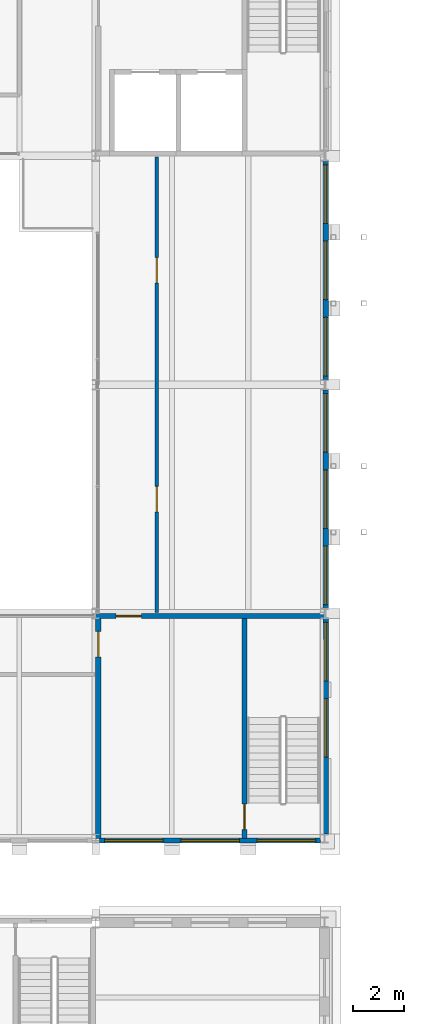
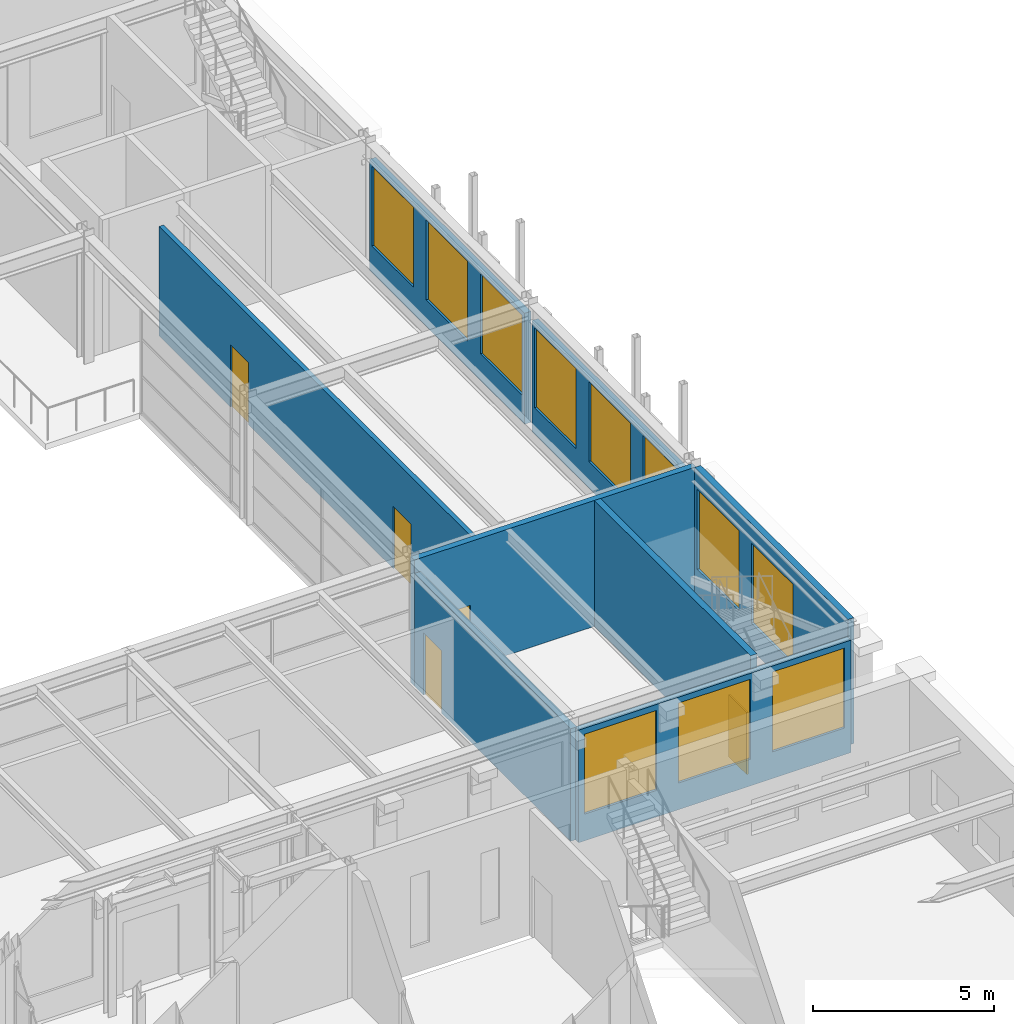
# One storey, part 98 of 153: 11 windows, 8 walls, 5 doors, 16 openings.
"""IFC4 building model written with IfcOpenShell, lengths in metres."""

from ifc_helpers import new_model, si_unit, direction, frame, frame_2d, origin, place, context, subcontext, project, spatial, rectangle, extrude, material, layer, layer_set, type_object, element, fill, save


model = new_model("IFC4")

# Units and contexts
model_context = context("Model", 3, precision=1e-05, world=origin(), true_north=direction((0.0, 1.0)))
body_context = subcontext(model_context, "Body", "Model", "MODEL_VIEW")
ifc_project = project(units=[si_unit("LENGTHUNIT", "METRE"), si_unit("AREAUNIT", "SQUARE_METRE"), si_unit("VOLUMEUNIT", "CUBIC_METRE"), si_unit("PLANEANGLEUNIT", "RADIAN"), si_unit("MASSUNIT", "GRAM", prefix="KILO")], contexts=[model_context])

# Site, building, storey
site_placement = place(None, origin())
site = spatial("IfcSite", under=ifc_project, at=site_placement, CompositionType="ELEMENT")
building_placement = place(site_placement, origin())
building = spatial("IfcBuilding", under=site, at=building_placement, Name="Kallimachos Central Library", CompositionType="ELEMENT")
storey_placement = place(building_placement, frame((0.0, 0.0, 5.39990234375)))
storey = spatial("IfcBuildingStorey", under=building, at=storey_placement, Name="L01", CompositionType="ELEMENT", Elevation=5.39990234375)

# Wall, openings, doors
ifc_material_1 = material(Name="Gypsum board on steel studs", Category="steel")
ifc_layer_1 = layer(ifc_material_1, 0.14990234375)
ifc_layer_set_1 = layer_set([ifc_layer_1], Name="Partition wall 150")
wall_type_1 = type_object("IfcWallType", Name="Partition wall 150", PredefinedType="PARTITIONING", material=ifc_layer_set_1)
wall_1_placement = place(storey_placement, frame((103.89990234375, 57.050048828125, 0.0), z_axis=(0.0, 0.0, 1.0), x_axis=(0.0, 1.0, 0.0)))
wall_1 = element("IfcWall", 1, at=wall_1_placement, inside=storey, type_object=wall_type_1, Name="L01 partition", PredefinedType="PARTITIONING", context=body_context, shape_type="SweptSolid", body=[
    extrude(rectangle(XDim=17.89990234375, YDim=0.14990234375, at=frame_2d((8.949951171875, 0.0))), origin(), (0.0, 0.0, 1.0), 3.7001953125),
])
opening_1_placement = place(wall_1_placement, frame((3.949951171875, 0.0, 0.0)))
opening_1 = element("IfcOpeningElement", 2, at=opening_1_placement, cuts=wall_1, Name="Opening D197", PredefinedType="OPENING", context=body_context, shape_type="SweptSolid", body=[
    extrude(rectangle(XDim=1.0, YDim=2.10009765625, at=frame_2d((0.5, 1.050048828125))), frame((0.0, 0.0849609375, 0.0), z_axis=(0.0, -1.0, 0.0), x_axis=(1.0, 0.0, 0.0)), (0.0, 0.0, 1.0), 0.169921875),
])
opening_2_placement = place(wall_1_placement, frame((12.949951171875, 0.0, 0.0)))
opening_2 = element("IfcOpeningElement", 3, at=opening_2_placement, cuts=wall_1, Name="Opening D198", PredefinedType="OPENING", context=body_context, shape_type="SweptSolid", body=[
    extrude(rectangle(XDim=1.0, YDim=2.10009765625, at=frame_2d((0.5, 1.050048828125))), frame((0.0, 0.0849609375, 0.0), z_axis=(0.0, -1.0, 0.0), x_axis=(1.0, 0.0, 0.0)), (0.0, 0.0, 1.0), 0.169921875),
])
ifc_material_2 = material(Name="Timber", Category="wood")
door_type_1 = type_object("IfcDoorType", Name="Single leaf door 1000 x 2100, EI2 30", OperationType="NOTDEFINED", PredefinedType="DOOR", material=ifc_material_2)
door_1_placement = place(opening_1_placement, origin())
door_1 = element("IfcDoor", 4, at=door_1_placement, inside=storey, type_object=door_type_1, Name="L01 door Study Carrels 1", OperationType="SINGLE_SWING_RIGHT", OverallHeight=2.10009765625, OverallWidth=1.0, PredefinedType="DOOR", context=body_context, shape_type="SweptSolid", body=[
    extrude(rectangle(XDim=1.0, YDim=2.10009765625, at=frame_2d((0.5, 1.050048828125))), frame((0.0, 0.02490234375, 0.0), z_axis=(0.0, -1.0, 0.0), x_axis=(1.0, 0.0, 0.0)), (0.0, 0.0, 1.0), 0.050048828125),
])
fill(opening_1, door_1)
door_2_placement = place(opening_2_placement, origin())
door_2 = element("IfcDoor", 5, at=door_2_placement, inside=storey, type_object=door_type_1, Name="L01 door Study Carrels 1", OperationType="SINGLE_SWING_RIGHT", OverallHeight=2.10009765625, OverallWidth=1.0, PredefinedType="DOOR", context=body_context, shape_type="SweptSolid", body=[
    extrude(rectangle(XDim=1.0, YDim=2.10009765625, at=frame_2d((0.5, 1.050048828125))), frame((0.0, 0.02490234375, 0.0), z_axis=(0.0, -1.0, 0.0), x_axis=(1.0, 0.0, 0.0)), (0.0, 0.0, 1.0), 0.050048828125),
])
fill(opening_2, door_2)

# Wall, opening, door
ifc_material_3 = material(Name="Concrete C35/45", Category="concrete")
ifc_layer_2 = layer(ifc_material_3, 0.199951171875)
ifc_layer_set_2 = layer_set([ifc_layer_2], Name="Shear core wall 200, internal")
wall_type_2 = type_object("IfcWallType", Name="Shear core wall 200, internal", PredefinedType="SHEAR", material=ifc_layer_set_2)
wall_2_placement = place(storey_placement, frame((101.5, 56.89990234375, 0.0), z_axis=(0.0, 0.0, 1.0), x_axis=(1.0, 0.0, 0.0)))
wall_2 = element("IfcWall", 6, at=wall_2_placement, inside=storey, type_object=wall_type_2, Name="L01 core wall V4-SE N", PredefinedType="SHEAR", context=body_context, shape_type="SweptSolid", body=[
    extrude(rectangle(XDim=9.0, YDim=0.199951171875, at=frame_2d((4.5, 0.0))), origin(), (0.0, 0.0, 1.0), 4.25),
])
opening_3_placement = place(wall_2_placement, frame((0.800048828125, 0.0, 0.0)))
opening_3 = element("IfcOpeningElement", 7, at=opening_3_placement, cuts=wall_2, Name="Opening D177", PredefinedType="OPENING", context=body_context, shape_type="SweptSolid", body=[
    extrude(rectangle(XDim=1.0, YDim=2.10009765625, at=frame_2d((0.5, 1.050048828125))), frame((0.0, 0.10986328125, 0.0), z_axis=(0.0, -1.0, 0.0), x_axis=(1.0, 0.0, 0.0)), (0.0, 0.0, 1.0), 0.219970703125),
])
ifc_material_4 = material(Name="Timber", Category="wood")
door_type_2 = type_object("IfcDoorType", Name="Single leaf door 1000 x 2100, EI2 90", OperationType="NOTDEFINED", PredefinedType="DOOR", material=ifc_material_4)
door_3_placement = place(opening_3_placement, origin())
door_3 = element("IfcDoor", 8, at=door_3_placement, inside=storey, type_object=door_type_2, Name="L01 core door V4-SE", OperationType="SINGLE_SWING_RIGHT", OverallHeight=2.10009765625, OverallWidth=1.0, PredefinedType="DOOR", context=body_context, shape_type="SweptSolid", body=[
    extrude(rectangle(XDim=1.0, YDim=2.10009765625, at=frame_2d((0.5, 1.050048828125))), frame((0.0, 0.02490234375, 0.0), z_axis=(0.0, -1.0, 0.0), x_axis=(1.0, 0.0, 0.0)), (0.0, 0.0, 1.0), 0.050048828125),
])
fill(opening_3, door_3)

wall_3_placement = place(storey_placement, frame((101.60009765625, 48.14990234375, 0.0), z_axis=(0.0, 0.0, 1.0), x_axis=(0.0, 1.0, 0.0)))
wall_3 = element("IfcWall", 9, at=wall_3_placement, inside=storey, type_object=wall_type_2, Name="L01 core wall V4-SE E", PredefinedType="SHEAR", context=body_context, shape_type="SweptSolid", body=[
    extrude(rectangle(XDim=8.650146484375, YDim=0.199951171875, at=frame_2d((4.3251953125, 0.0))), origin(), (0.0, 0.0, 1.0), 3.800048828125),
])
opening_4_placement = place(wall_3_placement, frame((7.14990234375, 0.0, 0.0)))
opening_4 = element("IfcOpeningElement", 10, at=opening_4_placement, cuts=wall_3, Name="Opening D180", PredefinedType="OPENING", context=body_context, shape_type="SweptSolid", body=[
    extrude(rectangle(XDim=1.0, YDim=2.10009765625, at=frame_2d((0.5, 1.050048828125))), frame((0.0, 0.10986328125, 0.0), z_axis=(0.0, -1.0, 0.0), x_axis=(1.0, 0.0, 0.0)), (0.0, 0.0, 1.0), 0.219970703125),
])
door_4_placement = place(opening_4_placement, frame((1.0, 0.0, 0.0), z_axis=(0.0, 0.0, 1.0), x_axis=(-1.0, 0.0, 0.0)))
door_4 = element("IfcDoor", 11, at=door_4_placement, inside=storey, type_object=door_type_2, Name="L01 core door V4-SE", OperationType="SINGLE_SWING_LEFT", OverallHeight=2.10009765625, OverallWidth=1.0, PredefinedType="DOOR", context=body_context, shape_type="SweptSolid", body=[
    extrude(rectangle(XDim=1.0, YDim=2.10009765625, at=frame_2d((0.5, 1.050048828125))), frame((0.0, 0.02490234375, 0.0), z_axis=(0.0, -1.0, 0.0), x_axis=(1.0, 0.0, 0.0)), (0.0, 0.0, 1.0), 0.050048828125),
])
fill(opening_4, door_4)

wall_4_placement = place(storey_placement, frame((107.35009765625, 48.14990234375, 0.0), z_axis=(0.0, 0.0, 1.0), x_axis=(0.0, 1.0, 0.0)))
wall_4 = element("IfcWall", 12, at=wall_4_placement, inside=storey, type_object=wall_type_2, Name="L01 core wall V4-SE M", PredefinedType="SHEAR", context=body_context, shape_type="SweptSolid", body=[
    extrude(rectangle(XDim=8.650146484375, YDim=0.199951171875, at=frame_2d((4.3251953125, 0.0))), origin(), (0.0, 0.0, 1.0), 4.25),
])
opening_5_placement = place(wall_4_placement, frame((0.35009765625, 0.0, 0.0)))
opening_5 = element("IfcOpeningElement", 13, at=opening_5_placement, cuts=wall_4, Name="Opening D182", PredefinedType="OPENING", context=body_context, shape_type="SweptSolid", body=[
    extrude(rectangle(XDim=1.0, YDim=2.10009765625, at=frame_2d((0.5, 1.050048828125))), frame((0.0, 0.10986328125, 0.0), z_axis=(0.0, -1.0, 0.0), x_axis=(1.0, 0.0, 0.0)), (0.0, 0.0, 1.0), 0.219970703125),
])
door_5_placement = place(opening_5_placement, frame((1.0, 0.0, 0.0), z_axis=(0.0, 0.0, 1.0), x_axis=(-1.0, 0.0, 0.0)))
door_5 = element("IfcDoor", 14, at=door_5_placement, inside=storey, type_object=door_type_2, Name="L01 core door V4-SE", OperationType="SINGLE_SWING_LEFT", OverallHeight=2.10009765625, OverallWidth=1.0, PredefinedType="DOOR", context=body_context, shape_type="SweptSolid", body=[
    extrude(rectangle(XDim=1.0, YDim=2.10009765625, at=frame_2d((0.5, 1.050048828125))), frame((0.0, 0.02490234375, 0.0), z_axis=(0.0, -1.0, 0.0), x_axis=(1.0, 0.0, 0.0)), (0.0, 0.0, 1.0), 0.050048828125),
])
fill(opening_5, door_5)

# Wall, openings, windows
ifc_material_5 = material(Name="Brick masonry with Pentelic marble cladding", Category="masonry")
ifc_layer_3 = layer(ifc_material_5, 0.199951171875)
ifc_layer_set_3 = layer_set([ifc_layer_3], Name="Stone-clad masonry wall 200")
wall_type_3 = type_object("IfcWallType", Name="Stone-clad masonry wall 200", PredefinedType="SOLIDWALL", material=ifc_layer_set_3)
wall_5_placement = place(storey_placement, frame((110.550048828125, 57.199951171875, 0.0), z_axis=(0.0, 0.0, 1.0), x_axis=(0.0, 1.0, 0.0)))
wall_5 = element("IfcWall", 15, at=wall_5_placement, inside=storey, type_object=wall_type_3, Name="V4-WAL-L01-030", PredefinedType="SOLIDWALL", context=body_context, shape_type="SweptSolid", body=[
    extrude(rectangle(XDim=8.60009765625, YDim=0.199951171875, at=frame_2d((4.300048828125, 0.0))), origin(), (0.0, 0.0, 1.0), 3.75),
])
opening_6_placement = place(wall_5_placement, frame((0.14990234375, 0.0, 0.89990234375)))
opening_6 = element("IfcOpeningElement", 16, at=opening_6_placement, cuts=wall_5, Name="Opening WN161", PredefinedType="OPENING", context=body_context, shape_type="SweptSolid", body=[
    extrude(rectangle(XDim=2.300048828125, YDim=2.699951171875, at=frame_2d((1.14990234375, 1.35009765625))), frame((0.0, 0.10986328125, 0.0), z_axis=(0.0, -1.0, 0.0), x_axis=(1.0, 0.0, 0.0)), (0.0, 0.0, 1.0), 0.219970703125),
])
opening_7_placement = place(wall_5_placement, frame((3.14990234375, 0.0, 0.89990234375)))
opening_7 = element("IfcOpeningElement", 17, at=opening_7_placement, cuts=wall_5, Name="Opening WN161", PredefinedType="OPENING", context=body_context, shape_type="SweptSolid", body=[
    extrude(rectangle(XDim=2.300048828125, YDim=2.699951171875, at=frame_2d((1.14990234375, 1.35009765625))), frame((0.0, 0.10986328125, 0.0), z_axis=(0.0, -1.0, 0.0), x_axis=(1.0, 0.0, 0.0)), (0.0, 0.0, 1.0), 0.219970703125),
])
opening_8_placement = place(wall_5_placement, frame((6.14990234375, 0.0, 0.89990234375)))
opening_8 = element("IfcOpeningElement", 18, at=opening_8_placement, cuts=wall_5, Name="Opening WN161", PredefinedType="OPENING", context=body_context, shape_type="SweptSolid", body=[
    extrude(rectangle(XDim=2.300048828125, YDim=2.699951171875, at=frame_2d((1.14990234375, 1.35009765625))), frame((0.0, 0.10986328125, 0.0), z_axis=(0.0, -1.0, 0.0), x_axis=(1.0, 0.0, 0.0)), (0.0, 0.0, 1.0), 0.219970703125),
])
ifc_material_6 = material(Name="Anodised aluminium and laminated glass", Category="aluminium")
window_type_1 = type_object("IfcWindowType", Name="Window 2300 x 2700", PartitioningType="DOUBLE_PANEL_VERTICAL", PredefinedType="WINDOW", material=ifc_material_6)
window_1_placement = place(opening_6_placement, origin())
window_1 = element("IfcWindow", 19, at=window_1_placement, inside=storey, type_object=window_type_1, Name="V4-WIN-L01-042", OverallHeight=2.699951171875, OverallWidth=2.300048828125, PartitioningType="SINGLE_PANEL", PredefinedType="WINDOW", context=body_context, shape_type="SweptSolid", body=[
    extrude(rectangle(XDim=2.300048828125, YDim=2.699951171875, at=frame_2d((1.14990234375, 1.35009765625))), frame((0.0, 0.030029296875, 0.0), z_axis=(0.0, -1.0, 0.0), x_axis=(1.0, 0.0, 0.0)), (0.0, 0.0, 1.0), 0.06005859375),
])
fill(opening_6, window_1)
window_2_placement = place(opening_7_placement, origin())
window_2 = element("IfcWindow", 20, at=window_2_placement, inside=storey, type_object=window_type_1, Name="V4-WIN-L01-043", OverallHeight=2.699951171875, OverallWidth=2.300048828125, PartitioningType="SINGLE_PANEL", PredefinedType="WINDOW", context=body_context, shape_type="SweptSolid", body=[
    extrude(rectangle(XDim=2.300048828125, YDim=2.699951171875, at=frame_2d((1.14990234375, 1.35009765625))), frame((0.0, 0.030029296875, 0.0), z_axis=(0.0, -1.0, 0.0), x_axis=(1.0, 0.0, 0.0)), (0.0, 0.0, 1.0), 0.06005859375),
])
fill(opening_7, window_2)
window_3_placement = place(opening_8_placement, origin())
window_3 = element("IfcWindow", 21, at=window_3_placement, inside=storey, type_object=window_type_1, Name="V4-WIN-L01-044", OverallHeight=2.699951171875, OverallWidth=2.300048828125, PartitioningType="SINGLE_PANEL", PredefinedType="WINDOW", context=body_context, shape_type="SweptSolid", body=[
    extrude(rectangle(XDim=2.300048828125, YDim=2.699951171875, at=frame_2d((1.14990234375, 1.35009765625))), frame((0.0, 0.030029296875, 0.0), z_axis=(0.0, -1.0, 0.0), x_axis=(1.0, 0.0, 0.0)), (0.0, 0.0, 1.0), 0.06005859375),
])
fill(opening_8, window_3)

wall_6_placement = place(storey_placement, frame((110.550048828125, 66.199951171875, 0.0), z_axis=(0.0, 0.0, 1.0), x_axis=(0.0, 1.0, 0.0)))
wall_6 = element("IfcWall", 22, at=wall_6_placement, inside=storey, type_object=wall_type_3, Name="V4-WAL-L01-031", PredefinedType="SOLIDWALL", context=body_context, shape_type="SweptSolid", body=[
    extrude(rectangle(XDim=8.583984375, YDim=0.199951171875, at=frame_2d((4.2919921875, 0.0))), origin(), (0.0, 0.0, 1.0), 3.75),
])
opening_9_placement = place(wall_6_placement, frame((0.14990234375, 0.0, 0.89990234375)))
opening_9 = element("IfcOpeningElement", 23, at=opening_9_placement, cuts=wall_6, Name="Opening WN161", PredefinedType="OPENING", context=body_context, shape_type="SweptSolid", body=[
    extrude(rectangle(XDim=2.300048828125, YDim=2.699951171875, at=frame_2d((1.14990234375, 1.35009765625))), frame((0.0, 0.10986328125, 0.0), z_axis=(0.0, -1.0, 0.0), x_axis=(1.0, 0.0, 0.0)), (0.0, 0.0, 1.0), 0.219970703125),
])
opening_10_placement = place(wall_6_placement, frame((3.14990234375, 0.0, 0.89990234375)))
opening_10 = element("IfcOpeningElement", 24, at=opening_10_placement, cuts=wall_6, Name="Opening WN161", PredefinedType="OPENING", context=body_context, shape_type="SweptSolid", body=[
    extrude(rectangle(XDim=2.300048828125, YDim=2.699951171875, at=frame_2d((1.14990234375, 1.35009765625))), frame((0.0, 0.10986328125, 0.0), z_axis=(0.0, -1.0, 0.0), x_axis=(1.0, 0.0, 0.0)), (0.0, 0.0, 1.0), 0.219970703125),
])
opening_11_placement = place(wall_6_placement, frame((6.14990234375, 0.0, 0.89990234375)))
opening_11 = element("IfcOpeningElement", 25, at=opening_11_placement, cuts=wall_6, Name="Opening WN161", PredefinedType="OPENING", context=body_context, shape_type="SweptSolid", body=[
    extrude(rectangle(XDim=2.300048828125, YDim=2.699951171875, at=frame_2d((1.14990234375, 1.35009765625))), frame((0.0, 0.10986328125, 0.0), z_axis=(0.0, -1.0, 0.0), x_axis=(1.0, 0.0, 0.0)), (0.0, 0.0, 1.0), 0.219970703125),
])
window_4_placement = place(opening_9_placement, origin())
window_4 = element("IfcWindow", 26, at=window_4_placement, inside=storey, type_object=window_type_1, Name="V4-WIN-L01-045", OverallHeight=2.699951171875, OverallWidth=2.300048828125, PartitioningType="SINGLE_PANEL", PredefinedType="WINDOW", context=body_context, shape_type="SweptSolid", body=[
    extrude(rectangle(XDim=2.300048828125, YDim=2.699951171875, at=frame_2d((1.14990234375, 1.35009765625))), frame((0.0, 0.030029296875, 0.0), z_axis=(0.0, -1.0, 0.0), x_axis=(1.0, 0.0, 0.0)), (0.0, 0.0, 1.0), 0.06005859375),
])
fill(opening_9, window_4)
window_5_placement = place(opening_10_placement, origin())
window_5 = element("IfcWindow", 27, at=window_5_placement, inside=storey, type_object=window_type_1, Name="V4-WIN-L01-046", OverallHeight=2.699951171875, OverallWidth=2.300048828125, PartitioningType="SINGLE_PANEL", PredefinedType="WINDOW", context=body_context, shape_type="SweptSolid", body=[
    extrude(rectangle(XDim=2.300048828125, YDim=2.699951171875, at=frame_2d((1.14990234375, 1.35009765625))), frame((0.0, 0.030029296875, 0.0), z_axis=(0.0, -1.0, 0.0), x_axis=(1.0, 0.0, 0.0)), (0.0, 0.0, 1.0), 0.06005859375),
])
fill(opening_10, window_5)
window_6_placement = place(opening_11_placement, origin())
window_6 = element("IfcWindow", 28, at=window_6_placement, inside=storey, type_object=window_type_1, Name="V4-WIN-L01-047", OverallHeight=2.699951171875, OverallWidth=2.300048828125, PartitioningType="SINGLE_PANEL", PredefinedType="WINDOW", context=body_context, shape_type="SweptSolid", body=[
    extrude(rectangle(XDim=2.300048828125, YDim=2.699951171875, at=frame_2d((1.14990234375, 1.35009765625))), frame((0.0, 0.030029296875, 0.0), z_axis=(0.0, -1.0, 0.0), x_axis=(1.0, 0.0, 0.0)), (0.0, 0.0, 1.0), 0.06005859375),
])
fill(opening_11, window_6)

ifc_material_7 = material(Name="Brick masonry with Pentelic marble cladding", Category="masonry")
ifc_layer_4 = layer(ifc_material_7, 0.199951171875)
ifc_layer_set_4 = layer_set([ifc_layer_4], Name="Stone-clad masonry wall 200, EI 120")
wall_type_4 = type_object("IfcWallType", Name="Stone-clad masonry wall 200, EI 120", PredefinedType="SOLIDWALL", material=ifc_layer_set_4)
wall_7_placement = place(storey_placement, frame((101.64990234375, 48.080078125, 0.0), z_axis=(0.0, 0.0, 1.0), x_axis=(1.0, 0.0, 0.0)))
wall_7 = element("IfcWall", 29, at=wall_7_placement, inside=storey, type_object=wall_type_4, Name="V4-WAL-L01-019", PredefinedType="SOLIDWALL", context=body_context, shape_type="SweptSolid", body=[
    extrude(rectangle(XDim=8.7001953125, YDim=0.199951171875, at=frame_2d((4.35009765625, 0.0))), origin(), (0.0, 0.0, 1.0), 3.800048828125),
])
opening_12_placement = place(wall_7_placement, frame((0.199951171875, 0.0, 0.89990234375)))
opening_12 = element("IfcOpeningElement", 30, at=opening_12_placement, cuts=wall_7, Name="Opening WN268", PredefinedType="OPENING", context=body_context, shape_type="SweptSolid", body=[
    extrude(rectangle(XDim=2.300048828125, YDim=2.699951171875, at=frame_2d((1.14990234375, 1.35009765625))), frame((0.0, 0.10986328125, 0.0), z_axis=(0.0, -1.0, 0.0), x_axis=(1.0, 0.0, 0.0)), (0.0, 0.0, 1.0), 0.219970703125),
])
opening_13_placement = place(wall_7_placement, frame((3.199951171875, 0.0, 0.89990234375)))
opening_13 = element("IfcOpeningElement", 31, at=opening_13_placement, cuts=wall_7, Name="Opening WN268", PredefinedType="OPENING", context=body_context, shape_type="SweptSolid", body=[
    extrude(rectangle(XDim=2.300048828125, YDim=2.699951171875, at=frame_2d((1.14990234375, 1.35009765625))), frame((0.0, 0.10986328125, 0.0), z_axis=(0.0, -1.0, 0.0), x_axis=(1.0, 0.0, 0.0)), (0.0, 0.0, 1.0), 0.219970703125),
])
opening_14_placement = place(wall_7_placement, frame((6.199951171875, 0.0, 0.89990234375)))
opening_14 = element("IfcOpeningElement", 32, at=opening_14_placement, cuts=wall_7, Name="Opening WN268", PredefinedType="OPENING", context=body_context, shape_type="SweptSolid", body=[
    extrude(rectangle(XDim=2.300048828125, YDim=2.699951171875, at=frame_2d((1.14990234375, 1.35009765625))), frame((0.0, 0.10986328125, 0.0), z_axis=(0.0, -1.0, 0.0), x_axis=(1.0, 0.0, 0.0)), (0.0, 0.0, 1.0), 0.219970703125),
])
ifc_material_8 = material(Name="Anodised aluminium and laminated glass", Category="aluminium")
window_type_2 = type_object("IfcWindowType", Name="Window 2300 x 2700, EI 120", PartitioningType="DOUBLE_PANEL_VERTICAL", PredefinedType="WINDOW", material=ifc_material_8)
window_7_placement = place(opening_12_placement, origin())
window_7 = element("IfcWindow", 33, at=window_7_placement, inside=storey, type_object=window_type_2, Name="V4-WIN-L01-012", OverallHeight=2.699951171875, OverallWidth=2.300048828125, PartitioningType="SINGLE_PANEL", PredefinedType="WINDOW", context=body_context, shape_type="SweptSolid", body=[
    extrude(rectangle(XDim=2.300048828125, YDim=2.699951171875, at=frame_2d((1.14990234375, 1.35009765625))), frame((0.0, 0.030029296875, 0.0), z_axis=(0.0, -1.0, 0.0), x_axis=(1.0, 0.0, 0.0)), (0.0, 0.0, 1.0), 0.06005859375),
])
fill(opening_12, window_7)
window_8_placement = place(opening_13_placement, origin())
window_8 = element("IfcWindow", 34, at=window_8_placement, inside=storey, type_object=window_type_2, Name="V4-WIN-L01-013", OverallHeight=2.699951171875, OverallWidth=2.300048828125, PartitioningType="SINGLE_PANEL", PredefinedType="WINDOW", context=body_context, shape_type="SweptSolid", body=[
    extrude(rectangle(XDim=2.300048828125, YDim=2.699951171875, at=frame_2d((1.14990234375, 1.35009765625))), frame((0.0, 0.030029296875, 0.0), z_axis=(0.0, -1.0, 0.0), x_axis=(1.0, 0.0, 0.0)), (0.0, 0.0, 1.0), 0.06005859375),
])
fill(opening_13, window_8)
window_9_placement = place(opening_14_placement, origin())
window_9 = element("IfcWindow", 35, at=window_9_placement, inside=storey, type_object=window_type_2, Name="V4-WIN-L01-014", OverallHeight=2.699951171875, OverallWidth=2.300048828125, PartitioningType="SINGLE_PANEL", PredefinedType="WINDOW", context=body_context, shape_type="SweptSolid", body=[
    extrude(rectangle(XDim=2.300048828125, YDim=2.699951171875, at=frame_2d((1.14990234375, 1.35009765625))), frame((0.0, 0.030029296875, 0.0), z_axis=(0.0, -1.0, 0.0), x_axis=(1.0, 0.0, 0.0)), (0.0, 0.0, 1.0), 0.06005859375),
])
fill(opening_14, window_9)

ifc_material_9 = material(Name="Brick masonry with Pentelic marble cladding", Category="masonry")
ifc_layer_5 = layer(ifc_material_9, 0.199951171875)
ifc_layer_set_5 = layer_set([ifc_layer_5], Name="Stone-clad masonry wall 200, load-bearing, EI 120")
wall_type_5 = type_object("IfcWallType", Name="Stone-clad masonry wall 200, load-bearing, EI 120", PredefinedType="SOLIDWALL", material=ifc_layer_set_5)
wall_8_placement = place(storey_placement, frame((110.550048828125, 48.320068359375, 0.0), z_axis=(0.0, 0.0, 1.0), x_axis=(0.0, 1.0, 0.0)))
wall_8 = element("IfcWall", 36, at=wall_8_placement, inside=storey, type_object=wall_type_5, Name="V4-WAL-L01-029", PredefinedType="SOLIDWALL", context=body_context, shape_type="SweptSolid", body=[
    extrude(rectangle(XDim=8.47998046875, YDim=0.199951171875, at=frame_2d((4.239990234375, 0.0))), origin(), (0.0, 0.0, 1.0), 4.25),
])
opening_15_placement = place(wall_8_placement, frame((3.030029296875, 0.0, 0.89990234375)))
opening_15 = element("IfcOpeningElement", 37, at=opening_15_placement, cuts=wall_8, Name="Opening WN268", PredefinedType="OPENING", context=body_context, shape_type="SweptSolid", body=[
    extrude(rectangle(XDim=2.300048828125, YDim=2.699951171875, at=frame_2d((1.14990234375, 1.35009765625))), frame((0.0, 0.10986328125, 0.0), z_axis=(0.0, -1.0, 0.0), x_axis=(1.0, 0.0, 0.0)), (0.0, 0.0, 1.0), 0.219970703125),
])
opening_16_placement = place(wall_8_placement, frame((6.030029296875, 0.0, 0.89990234375)))
opening_16 = element("IfcOpeningElement", 38, at=opening_16_placement, cuts=wall_8, Name="Opening WN268", PredefinedType="OPENING", context=body_context, shape_type="SweptSolid", body=[
    extrude(rectangle(XDim=2.300048828125, YDim=2.699951171875, at=frame_2d((1.14990234375, 1.35009765625))), frame((0.0, 0.10986328125, 0.0), z_axis=(0.0, -1.0, 0.0), x_axis=(1.0, 0.0, 0.0)), (0.0, 0.0, 1.0), 0.219970703125),
])
window_10_placement = place(opening_15_placement, origin())
window_10 = element("IfcWindow", 39, at=window_10_placement, inside=storey, type_object=window_type_2, Name="V4-WIN-L01-040", OverallHeight=2.699951171875, OverallWidth=2.300048828125, PartitioningType="SINGLE_PANEL", PredefinedType="WINDOW", context=body_context, shape_type="SweptSolid", body=[
    extrude(rectangle(XDim=2.300048828125, YDim=2.699951171875, at=frame_2d((1.14990234375, 1.35009765625))), frame((0.0, 0.030029296875, 0.0), z_axis=(0.0, -1.0, 0.0), x_axis=(1.0, 0.0, 0.0)), (0.0, 0.0, 1.0), 0.06005859375),
])
fill(opening_15, window_10)
window_11_placement = place(opening_16_placement, origin())
window_11 = element("IfcWindow", 40, at=window_11_placement, inside=storey, type_object=window_type_2, Name="V4-WIN-L01-041", OverallHeight=2.699951171875, OverallWidth=2.300048828125, PartitioningType="SINGLE_PANEL", PredefinedType="WINDOW", context=body_context, shape_type="SweptSolid", body=[
    extrude(rectangle(XDim=2.300048828125, YDim=2.699951171875, at=frame_2d((1.14990234375, 1.35009765625))), frame((0.0, 0.030029296875, 0.0), z_axis=(0.0, -1.0, 0.0), x_axis=(1.0, 0.0, 0.0)), (0.0, 0.0, 1.0), 0.06005859375),
])
fill(opening_16, window_11)

save(model, "model.ifc")
